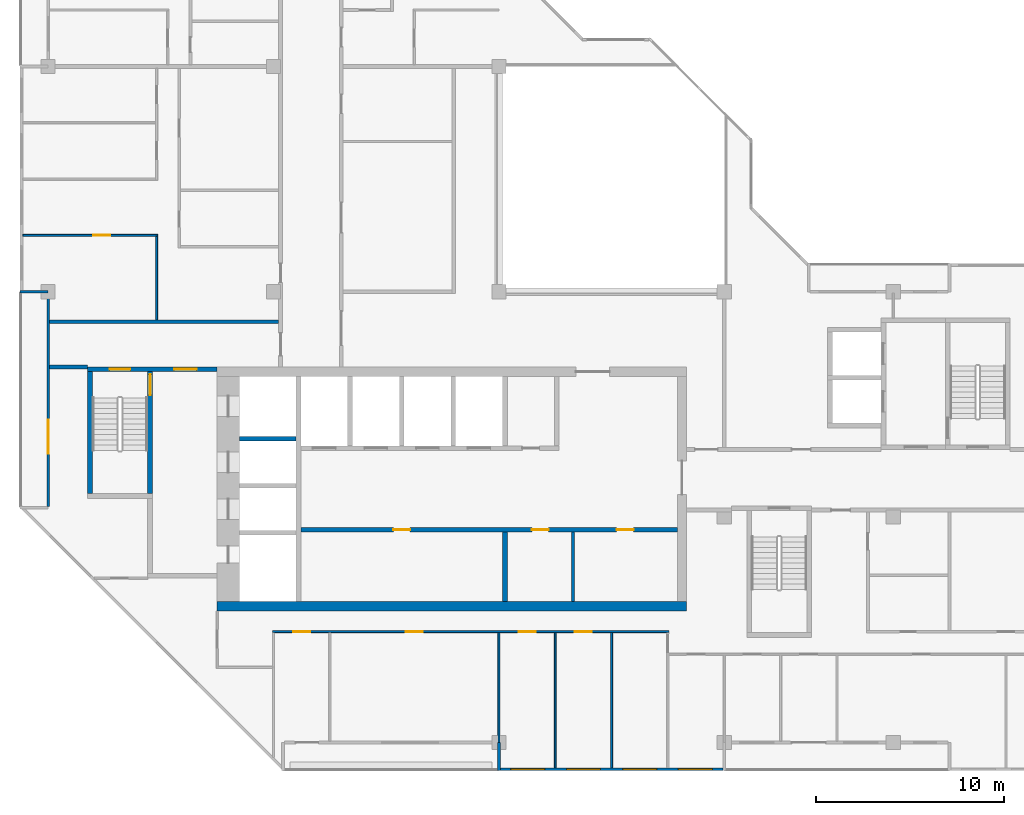
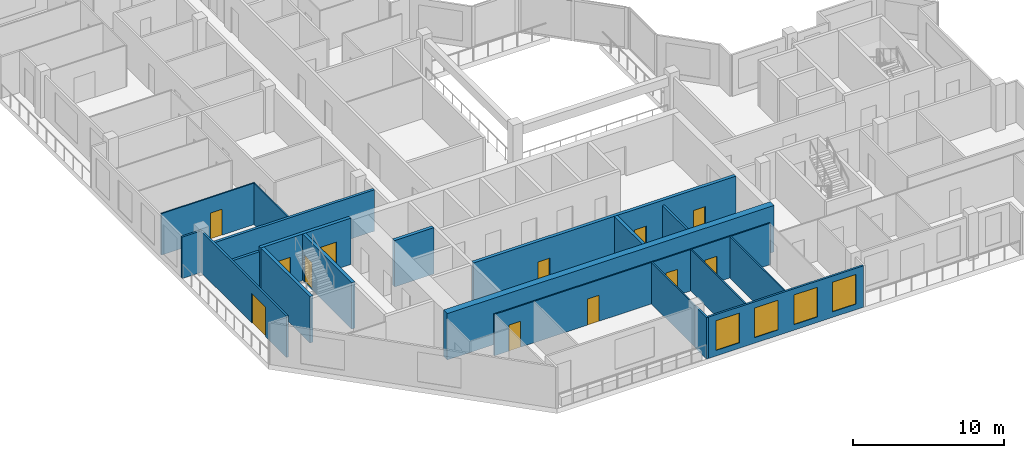
# One storey, part 4 of 12: 20 walls, 12 doors, 4 windows, 16 openings.
"""IFC4 building model written with IfcOpenShell, lengths in metres."""

from ifc_helpers import new_model, si_unit, direction, frame, frame_2d, origin, place, context, subcontext, project, spatial, rectangle, extrude, material, layer, layer_set, type_object, element, fill, save


model = new_model("IFC4")

# Units and contexts
model_context = context("Model", 3, precision=1e-05, world=origin(), true_north=direction((0.0, 1.0)))
body_context = subcontext(model_context, "Body", "Model", "MODEL_VIEW")
ifc_project = project(units=[si_unit("LENGTHUNIT", "METRE"), si_unit("AREAUNIT", "SQUARE_METRE"), si_unit("VOLUMEUNIT", "CUBIC_METRE"), si_unit("PLANEANGLEUNIT", "RADIAN"), si_unit("MASSUNIT", "GRAM", prefix="KILO")], contexts=[model_context])

# Site, building, storey
site_placement = place(None, origin())
site = spatial("IfcSite", under=ifc_project, at=site_placement, CompositionType="ELEMENT")
building_placement = place(site_placement, origin())
building = spatial("IfcBuilding", under=site, at=building_placement, Name="Chenar Terraces", CompositionType="ELEMENT")
storey_placement = place(building_placement, frame((0.0, 0.0, 365.14990234375)))
storey = spatial("IfcBuildingStorey", under=building, at=storey_placement, Name="L85", CompositionType="ELEMENT", Elevation=365.14990234375)

# Wall
ifc_material_1 = material(Name="Gypsum board on steel studs", Category="steel")
ifc_layer_1 = layer(ifc_material_1, 0.14990234375)
ifc_layer_set_1 = layer_set([ifc_layer_1], Name="Gypsum board on steel studs")
wall_type_1 = type_object("IfcWallType", Name="Core partition 150 gypsum board", PredefinedType="PARTITIONING", material=ifc_layer_set_1)
wall_1_placement = place(storey_placement, frame((27.949951171875, 7.5, 0.0), z_axis=(0.0, 0.0, 1.0), x_axis=(0.0, 1.0, 0.0)))
element("IfcWall", 1, at=wall_1_placement, inside=storey, type_object=wall_type_1, Name="Core partition CP1 freed bay wall", PredefinedType="PARTITIONING", context=body_context, shape_type="SweptSolid", body=[
    extrude(rectangle(XDim=3.699951171875, YDim=0.14990234375, at=frame_2d((1.85009765625, 0.0))), origin(), (0.0, 0.0, 1.0), 3.35009765625),
])

# Wall, openings, doors
ifc_material_2 = material(Name="Concrete C50/60", Category="concrete")
ifc_layer_2 = layer(ifc_material_2, 0.25)
ifc_layer_set_2 = layer_set([ifc_layer_2], Name="Concrete C50/60")
wall_type_2 = type_object("IfcWallType", Name="Core wall 250 Concrete C50/60", PredefinedType="SHEAR", material=ifc_layer_set_2)
wall_2_placement = place(storey_placement, frame((13.449951171875, 11.324951171875, 0.0), z_axis=(0.0, 0.0, 1.0), x_axis=(1.0, 0.0, 0.0)))
wall_2 = element("IfcWall", 2, at=wall_2_placement, inside=storey, type_object=wall_type_2, Name="Core wall SF L85", PredefinedType="SHEAR", context=body_context, shape_type="SweptSolid", body=[
    extrude(rectangle(XDim=20.050048828125, YDim=0.25, at=frame_2d((10.02490234375, 0.0))), origin(), (0.0, 0.0, 1.0), 3.75),
])
opening_1_placement = place(wall_2_placement, frame((4.925048828125, 0.0, 0.0)))
opening_1 = element("IfcOpeningElement", 3, at=opening_1_placement, cuts=wall_2, Name="Opening DL85-C12", PredefinedType="OPENING", context=body_context, shape_type="SweptSolid", body=[
    extrude(rectangle(XDim=0.89990234375, YDim=2.10009765625, at=frame_2d((0.449951171875, 1.050048828125))), frame((0.0, 0.135009765625, 0.0), z_axis=(0.0, -1.0, 0.0), x_axis=(1.0, 0.0, 0.0)), (0.0, 0.0, 1.0), 0.27001953125),
])
opening_2_placement = place(wall_2_placement, frame((12.300048828125, 0.0, 0.0)))
opening_2 = element("IfcOpeningElement", 4, at=opening_2_placement, cuts=wall_2, Name="Opening DL85-C13", PredefinedType="OPENING", context=body_context, shape_type="SweptSolid", body=[
    extrude(rectangle(XDim=0.89990234375, YDim=2.10009765625, at=frame_2d((0.449951171875, 1.050048828125))), frame((0.0, 0.135009765625, 0.0), z_axis=(0.0, -1.0, 0.0), x_axis=(1.0, 0.0, 0.0)), (0.0, 0.0, 1.0), 0.27001953125),
])
opening_3_placement = place(wall_2_placement, frame((16.824951171875, 0.0, 0.0)))
opening_3 = element("IfcOpeningElement", 5, at=opening_3_placement, cuts=wall_2, Name="Opening DL85-C14", PredefinedType="OPENING", context=body_context, shape_type="SweptSolid", body=[
    extrude(rectangle(XDim=0.89990234375, YDim=2.10009765625, at=frame_2d((0.449951171875, 1.050048828125))), frame((0.0, 0.135009765625, 0.0), z_axis=(0.0, -1.0, 0.0), x_axis=(1.0, 0.0, 0.0)), (0.0, 0.0, 1.0), 0.27001953125),
])
ifc_material_3 = material(Name="Steel-framed fire-resisting door leaf", Category="steel")
door_type_1 = type_object("IfcDoorType", Name="Riser fire door FD60 900 x 2100", OperationType="SINGLE_SWING_LEFT", PredefinedType="DOOR", material=ifc_material_3)
door_1_placement = place(opening_1_placement, frame((0.89990234375, 0.0, 0.0), z_axis=(0.0, 0.0, 1.0), x_axis=(-1.0, 0.0, 0.0)))
door_1 = element("IfcDoor", 6, at=door_1_placement, inside=storey, type_object=door_type_1, Name="Core room door DL85-C12", OperationType="SINGLE_SWING_RIGHT", OverallHeight=2.10009765625, OverallWidth=0.89990234375, PredefinedType="DOOR", context=body_context, shape_type="SweptSolid", body=[
    extrude(rectangle(XDim=0.89990234375, YDim=2.10009765625, at=frame_2d((0.449951171875, 1.050048828125))), frame((0.0, 0.02490234375, 0.0), z_axis=(0.0, -1.0, 0.0), x_axis=(1.0, 0.0, 0.0)), (0.0, 0.0, 1.0), 0.050048828125),
])
fill(opening_1, door_1)
door_2_placement = place(opening_2_placement, frame((0.89990234375, 0.0, 0.0), z_axis=(0.0, 0.0, 1.0), x_axis=(-1.0, 0.0, 0.0)))
door_2 = element("IfcDoor", 7, at=door_2_placement, inside=storey, type_object=door_type_1, Name="Core room door DL85-C13", OperationType="SINGLE_SWING_LEFT", OverallHeight=2.10009765625, OverallWidth=0.89990234375, PredefinedType="DOOR", context=body_context, shape_type="SweptSolid", body=[
    extrude(rectangle(XDim=0.89990234375, YDim=2.10009765625, at=frame_2d((0.449951171875, 1.050048828125))), frame((0.0, 0.02490234375, 0.0), z_axis=(0.0, -1.0, 0.0), x_axis=(1.0, 0.0, 0.0)), (0.0, 0.0, 1.0), 0.050048828125),
])
fill(opening_2, door_2)
door_3_placement = place(opening_3_placement, frame((0.89990234375, 0.0, 0.0), z_axis=(0.0, 0.0, 1.0), x_axis=(-1.0, 0.0, 0.0)))
door_3 = element("IfcDoor", 8, at=door_3_placement, inside=storey, type_object=door_type_1, Name="Core room door DL85-C14", OperationType="SINGLE_SWING_LEFT", OverallHeight=2.10009765625, OverallWidth=0.89990234375, PredefinedType="DOOR", context=body_context, shape_type="SweptSolid", body=[
    extrude(rectangle(XDim=0.89990234375, YDim=2.10009765625, at=frame_2d((0.449951171875, 1.050048828125))), frame((0.0, 0.02490234375, 0.0), z_axis=(0.0, -1.0, 0.0), x_axis=(1.0, 0.0, 0.0)), (0.0, 0.0, 1.0), 0.050048828125),
])
fill(opening_3, door_3)

# Walls
wall_3_placement = place(storey_placement, frame((10.199951171875, 16.175048828125, 0.0), z_axis=(0.0, 0.0, 1.0), x_axis=(1.0, 0.0, 0.0)))
element("IfcWall", 9, at=wall_3_placement, inside=storey, type_object=wall_type_2, Name="Core wall HW2 L85", PredefinedType="SHEAR", context=body_context, shape_type="SweptSolid", body=[
    extrude(rectangle(XDim=3.0, YDim=0.25, at=frame_2d((1.5, 0.0))), origin(), (0.0, 0.0, 1.0), 3.75),
])
wall_4_placement = place(storey_placement, frame((24.324951171875, 7.5, 0.0), z_axis=(0.0, 0.0, 1.0), x_axis=(0.0, 1.0, 0.0)))
element("IfcWall", 10, at=wall_4_placement, inside=storey, type_object=wall_type_2, Name="Core wall SS3 L85", PredefinedType="SHEAR", context=body_context, shape_type="SweptSolid", body=[
    extrude(rectangle(XDim=3.699951171875, YDim=0.25, at=frame_2d((1.85009765625, 0.0))), origin(), (0.0, 0.0, 1.0), 3.75),
])

# Wall, openings, doors
wall_5_placement = place(storey_placement, frame((2.10009765625, 19.875, 0.0), z_axis=(0.0, 0.0, 1.0), x_axis=(1.0, 0.0, 0.0)))
wall_5 = element("IfcWall", 11, at=wall_5_placement, inside=storey, type_object=wall_type_2, Name="Core wall A_N L85", PredefinedType="SHEAR", context=body_context, shape_type="SweptSolid", body=[
    extrude(rectangle(XDim=6.89990234375, YDim=0.25, at=frame_2d((3.449951171875, 0.0))), origin(), (0.0, 0.0, 1.0), 3.75),
])
opening_4_placement = place(wall_5_placement, frame((1.175048828125, 0.0, 0.0)))
opening_4 = element("IfcOpeningElement", 12, at=opening_4_placement, cuts=wall_5, Name="Opening DL85-C5", PredefinedType="OPENING", context=body_context, shape_type="SweptSolid", body=[
    extrude(rectangle(XDim=1.10009765625, YDim=2.199951171875, at=frame_2d((0.550048828125, 1.10009765625))), frame((0.0, 0.135009765625, 0.0), z_axis=(0.0, -1.0, 0.0), x_axis=(1.0, 0.0, 0.0)), (0.0, 0.0, 1.0), 0.27001953125),
])
opening_5_placement = place(wall_5_placement, frame((4.60009765625, 0.0, 0.0)))
opening_5 = element("IfcOpeningElement", 13, at=opening_5_placement, cuts=wall_5, Name="Opening DL85-C6", PredefinedType="OPENING", context=body_context, shape_type="SweptSolid", body=[
    extrude(rectangle(XDim=1.199951171875, YDim=2.199951171875, at=frame_2d((0.60009765625, 1.10009765625))), frame((0.0, 0.135009765625, 0.0), z_axis=(0.0, -1.0, 0.0), x_axis=(1.0, 0.0, 0.0)), (0.0, 0.0, 1.0), 0.27001953125),
])
ifc_material_4 = material(Name="Steel-framed fire-resisting door leaf", Category="steel")
door_type_2 = type_object("IfcDoorType", Name="Lobby fire door FD60 1200 x 2200", OperationType="SINGLE_SWING_LEFT", PredefinedType="DOOR", material=ifc_material_4)
door_4_placement = place(opening_5_placement, frame((1.199951171875, 0.0, 0.0), z_axis=(0.0, 0.0, 1.0), x_axis=(-1.0, 0.0, 0.0)))
door_4 = element("IfcDoor", 14, at=door_4_placement, inside=storey, type_object=door_type_2, Name="Core door DL85-C6", OperationType="SINGLE_SWING_LEFT", OverallHeight=2.199951171875, OverallWidth=1.199951171875, PredefinedType="DOOR", context=body_context, shape_type="SweptSolid", body=[
    extrude(rectangle(XDim=1.199951171875, YDim=2.199951171875, at=frame_2d((0.60009765625, 1.10009765625))), frame((0.0, 0.02490234375, 0.0), z_axis=(0.0, -1.0, 0.0), x_axis=(1.0, 0.0, 0.0)), (0.0, 0.0, 1.0), 0.050048828125),
])
fill(opening_5, door_4)
ifc_material_5 = material(Name="Steel-framed fire-resisting door leaf", Category="steel")
door_type_3 = type_object("IfcDoorType", Name="Stair fire door FD60 1100 x 2200", OperationType="SINGLE_SWING_LEFT", PredefinedType="DOOR", material=ifc_material_5)
door_5_placement = place(opening_4_placement, origin())
door_5 = element("IfcDoor", 15, at=door_5_placement, inside=storey, type_object=door_type_3, Name="Stair door DL85-C5", OperationType="SINGLE_SWING_LEFT", OverallHeight=2.199951171875, OverallWidth=1.10009765625, PredefinedType="DOOR", context=body_context, shape_type="SweptSolid", body=[
    extrude(rectangle(XDim=1.10009765625, YDim=2.199951171875, at=frame_2d((0.550048828125, 1.10009765625))), frame((0.0, 0.02490234375, 0.0), z_axis=(0.0, -1.0, 0.0), x_axis=(1.0, 0.0, 0.0)), (0.0, 0.0, 1.0), 0.050048828125),
])
fill(opening_4, door_5)

# Wall
wall_6_placement = place(storey_placement, frame((2.22509765625, 13.25, 0.0), z_axis=(0.0, 0.0, 1.0), x_axis=(0.0, 1.0, 0.0)))
element("IfcWall", 16, at=wall_6_placement, inside=storey, type_object=wall_type_2, Name="Core wall ST1_W L85", PredefinedType="SHEAR", context=body_context, shape_type="SweptSolid", body=[
    extrude(rectangle(XDim=6.5, YDim=0.25, at=frame_2d((3.25, 0.0))), origin(), (0.0, 0.0, 1.0), 3.75),
])

# Wall, opening, door
wall_7_placement = place(storey_placement, frame((5.425048828125, 13.25, 0.0), z_axis=(0.0, 0.0, 1.0), x_axis=(0.0, 1.0, 0.0)))
wall_7 = element("IfcWall", 17, at=wall_7_placement, inside=storey, type_object=wall_type_2, Name="Core wall ST1_E L85", PredefinedType="SHEAR", context=body_context, shape_type="SweptSolid", body=[
    extrude(rectangle(XDim=6.5, YDim=0.25, at=frame_2d((3.25, 0.0))), origin(), (0.0, 0.0, 1.0), 3.75),
])
opening_6_placement = place(wall_7_placement, frame((5.25, 0.0, 0.0)))
opening_6 = element("IfcOpeningElement", 18, at=opening_6_placement, cuts=wall_7, Name="Opening DL85-C3", PredefinedType="OPENING", context=body_context, shape_type="SweptSolid", body=[
    extrude(rectangle(XDim=1.10009765625, YDim=2.199951171875, at=frame_2d((0.550048828125, 1.10009765625))), frame((0.0, 0.135009765625, 0.0), z_axis=(0.0, -1.0, 0.0), x_axis=(1.0, 0.0, 0.0)), (0.0, 0.0, 1.0), 0.27001953125),
])
door_6_placement = place(opening_6_placement, origin())
door_6 = element("IfcDoor", 19, at=door_6_placement, inside=storey, type_object=door_type_3, Name="Stair door DL85-C3", OperationType="SINGLE_SWING_RIGHT", OverallHeight=2.199951171875, OverallWidth=1.10009765625, PredefinedType="DOOR", context=body_context, shape_type="SweptSolid", body=[
    extrude(rectangle(XDim=1.10009765625, YDim=2.199951171875, at=frame_2d((0.550048828125, 1.10009765625))), frame((0.0, 0.02490234375, 0.0), z_axis=(0.0, -1.0, 0.0), x_axis=(1.0, 0.0, 0.0)), (0.0, 0.0, 1.0), 0.050048828125),
])
fill(opening_6, door_6)

# Walls
ifc_material_6 = material(Name="Concrete C50/60", Category="concrete")
ifc_layer_3 = layer(ifc_material_6, 0.5)
ifc_layer_set_3 = layer_set([ifc_layer_3], Name="Concrete C50/60")
wall_type_3 = type_object("IfcWallType", Name="Core wall 500 Concrete C50/60", PredefinedType="SHEAR", material=ifc_layer_set_3)
wall_8_placement = place(storey_placement, frame((9.0, 7.25, 0.0), z_axis=(0.0, 0.0, 1.0), x_axis=(1.0, 0.0, 0.0)))
element("IfcWall", 20, at=wall_8_placement, inside=storey, type_object=wall_type_3, Name="Core wall S L85", PredefinedType="SHEAR", context=body_context, shape_type="SweptSolid", body=[
    extrude(rectangle(XDim=25.0, YDim=0.5, at=frame_2d((12.5, 0.0))), origin(), (0.0, 0.0, 1.0), 3.75),
])
ifc_material_7 = material(Name="Gypsum board on steel studs with fire boards", Category="steel")
ifc_layer_4 = layer(ifc_material_7, 0.199951171875)
ifc_layer_set_4 = layer_set([ifc_layer_4], Name="Gypsum board on steel studs with fire boards")
wall_type_4 = type_object("IfcWallType", Name="Corridor wall 200", PredefinedType="PARTITIONING", material=ifc_layer_set_4)
wall_9_placement = place(storey_placement, frame((0.073974609375, 20.0, 0.0), z_axis=(0.0, 0.0, 1.0), x_axis=(1.0, 0.0, 0.0)))
element("IfcWall", 21, at=wall_9_placement, inside=storey, type_object=wall_type_4, Name="Partition L85-007", PredefinedType="PARTITIONING", context=body_context, shape_type="SweptSolid", body=[
    extrude(rectangle(XDim=2.026123046875, YDim=0.199951171875, at=frame_2d((1.01318359375, 0.0))), origin(), (0.0, 0.0, 1.0), 3.35009765625),
])
wall_10_placement = place(storey_placement, frame((0.073974609375, 22.39990234375, 0.0), z_axis=(0.0, 0.0, 1.0), x_axis=(1.0, 0.0, 0.0)))
element("IfcWall", 22, at=wall_10_placement, inside=storey, type_object=wall_type_4, Name="Partition L85-008", PredefinedType="PARTITIONING", context=body_context, shape_type="SweptSolid", body=[
    extrude(rectangle(XDim=12.200927734375, YDim=0.199951171875, at=frame_2d((6.1005859375, 0.0))), origin(), (0.0, 0.0, 1.0), 3.35009765625),
])

# Wall, openings, windows
ifc_material_8 = material(Name="Aluminium framed glazing", Category="aluminium")
ifc_layer_5 = layer(ifc_material_8, 0.14990234375)
ifc_layer_set_5 = layer_set([ifc_layer_5], Name="Aluminium framed glazing")
wall_type_5 = type_object("IfcWallType", Name="Glazed flush facade wall 150", PredefinedType="SOLIDWALL", material=ifc_layer_set_5)
wall_11_placement = place(storey_placement, frame((24.074951171875, -1.425048828125, 0.0), z_axis=(0.0, 0.0, 1.0), x_axis=(1.0, 0.0, 0.0)))
wall_11 = element("IfcWall", 23, at=wall_11_placement, inside=storey, type_object=wall_type_5, Name="Glazed flush facade wall", PredefinedType="SOLIDWALL", context=body_context, shape_type="SweptSolid", body=[
    extrude(rectangle(XDim=11.85009765625, YDim=0.14990234375, at=frame_2d((5.925048828125, 0.0))), origin(), (0.0, 0.0, 1.0), 3.35009765625),
])
opening_7_placement = place(wall_11_placement, frame((0.5625, 0.0, 0.449951171875)))
opening_7 = element("IfcOpeningElement", 24, at=opening_7_placement, cuts=wall_11, Name="Opening W180x240", PredefinedType="OPENING", context=body_context, shape_type="SweptSolid", body=[
    extrude(rectangle(XDim=1.800048828125, YDim=2.39990234375, at=frame_2d((0.89990234375, 1.199951171875))), frame((0.0, 0.0849609375, 0.0), z_axis=(0.0, -1.0, 0.0), x_axis=(1.0, 0.0, 0.0)), (0.0, 0.0, 1.0), 0.169921875),
])
opening_8_placement = place(wall_11_placement, frame((3.52490234375, 0.0, 0.449951171875)))
opening_8 = element("IfcOpeningElement", 25, at=opening_8_placement, cuts=wall_11, Name="Opening W180x240", PredefinedType="OPENING", context=body_context, shape_type="SweptSolid", body=[
    extrude(rectangle(XDim=1.800048828125, YDim=2.39990234375, at=frame_2d((0.89990234375, 1.199951171875))), frame((0.0, 0.0849609375, 0.0), z_axis=(0.0, -1.0, 0.0), x_axis=(1.0, 0.0, 0.0)), (0.0, 0.0, 1.0), 0.169921875),
])
opening_9_placement = place(wall_11_placement, frame((6.52490234375, 0.0, 0.449951171875)))
opening_9 = element("IfcOpeningElement", 26, at=opening_9_placement, cuts=wall_11, Name="Opening W180x240", PredefinedType="OPENING", context=body_context, shape_type="SweptSolid", body=[
    extrude(rectangle(XDim=1.800048828125, YDim=2.39990234375, at=frame_2d((0.89990234375, 1.199951171875))), frame((0.0, 0.0849609375, 0.0), z_axis=(0.0, -1.0, 0.0), x_axis=(1.0, 0.0, 0.0)), (0.0, 0.0, 1.0), 0.169921875),
])
opening_10_placement = place(wall_11_placement, frame((9.487548828125, 0.0, 0.449951171875)))
opening_10 = element("IfcOpeningElement", 27, at=opening_10_placement, cuts=wall_11, Name="Opening W180x240", PredefinedType="OPENING", context=body_context, shape_type="SweptSolid", body=[
    extrude(rectangle(XDim=1.800048828125, YDim=2.39990234375, at=frame_2d((0.89990234375, 1.199951171875))), frame((0.0, 0.0849609375, 0.0), z_axis=(0.0, -1.0, 0.0), x_axis=(1.0, 0.0, 0.0)), (0.0, 0.0, 1.0), 0.169921875),
])
ifc_material_9 = material(Name="Low emissivity double glazing, aluminium frame", Category="aluminium")
window_type = type_object("IfcWindowType", Name="Fixed light 1800 x 2400", PartitioningType="SINGLE_PANEL", PredefinedType="WINDOW", material=ifc_material_9)
window_1_placement = place(opening_7_placement, origin())
window_1 = element("IfcWindow", 28, at=window_1_placement, inside=storey, type_object=window_type, Name="Window", OverallHeight=2.39990234375, OverallWidth=1.800048828125, PartitioningType="SINGLE_PANEL", PredefinedType="WINDOW", context=body_context, shape_type="SweptSolid", body=[
    extrude(rectangle(XDim=1.800048828125, YDim=2.39990234375, at=frame_2d((0.89990234375, 1.199951171875))), frame((0.0, 0.030029296875, 0.0), z_axis=(0.0, -1.0, 0.0), x_axis=(1.0, 0.0, 0.0)), (0.0, 0.0, 1.0), 0.06005859375),
])
fill(opening_7, window_1)
window_2_placement = place(opening_8_placement, origin())
window_2 = element("IfcWindow", 29, at=window_2_placement, inside=storey, type_object=window_type, Name="Window", OverallHeight=2.39990234375, OverallWidth=1.800048828125, PartitioningType="SINGLE_PANEL", PredefinedType="WINDOW", context=body_context, shape_type="SweptSolid", body=[
    extrude(rectangle(XDim=1.800048828125, YDim=2.39990234375, at=frame_2d((0.89990234375, 1.199951171875))), frame((0.0, 0.030029296875, 0.0), z_axis=(0.0, -1.0, 0.0), x_axis=(1.0, 0.0, 0.0)), (0.0, 0.0, 1.0), 0.06005859375),
])
fill(opening_8, window_2)
window_3_placement = place(opening_9_placement, origin())
window_3 = element("IfcWindow", 30, at=window_3_placement, inside=storey, type_object=window_type, Name="Window", OverallHeight=2.39990234375, OverallWidth=1.800048828125, PartitioningType="SINGLE_PANEL", PredefinedType="WINDOW", context=body_context, shape_type="SweptSolid", body=[
    extrude(rectangle(XDim=1.800048828125, YDim=2.39990234375, at=frame_2d((0.89990234375, 1.199951171875))), frame((0.0, 0.030029296875, 0.0), z_axis=(0.0, -1.0, 0.0), x_axis=(1.0, 0.0, 0.0)), (0.0, 0.0, 1.0), 0.06005859375),
])
fill(opening_9, window_3)
window_4_placement = place(opening_10_placement, origin())
window_4 = element("IfcWindow", 31, at=window_4_placement, inside=storey, type_object=window_type, Name="Window", OverallHeight=2.39990234375, OverallWidth=1.800048828125, PartitioningType="SINGLE_PANEL", PredefinedType="WINDOW", context=body_context, shape_type="SweptSolid", body=[
    extrude(rectangle(XDim=1.800048828125, YDim=2.39990234375, at=frame_2d((0.89990234375, 1.199951171875))), frame((0.0, 0.030029296875, 0.0), z_axis=(0.0, -1.0, 0.0), x_axis=(1.0, 0.0, 0.0)), (0.0, 0.0, 1.0), 0.06005859375),
])
fill(opening_10, window_4)

# Wall, opening, door
ifc_material_10 = material(Name="Aluminium framed glazing", Category="aluminium")
ifc_layer_6 = layer(ifc_material_10, 0.14990234375)
ifc_layer_set_6 = layer_set([ifc_layer_6], Name="Aluminium framed glazing")
wall_type_6 = type_object("IfcWallType", Name="Glazed loggia back wall 150", PredefinedType="SOLIDWALL", material=ifc_layer_set_6)
wall_12_placement = place(storey_placement, frame((0.0, 23.925048828125, 0.0), z_axis=(0.0, 0.0, 1.0), x_axis=(0.0, -1.0, 0.0)))
wall_12 = element("IfcWall", 32, at=wall_12_placement, inside=storey, type_object=wall_type_6, Name="Glazed loggia back wall", PredefinedType="SOLIDWALL", context=body_context, shape_type="SweptSolid", body=[
    extrude(rectangle(XDim=11.35009765625, YDim=0.14990234375, at=frame_2d((5.675048828125, 0.0))), origin(), (0.0, 0.0, 1.0), 3.35009765625),
])
opening_11_placement = place(wall_12_placement, frame((6.737548828125, 0.0, 0.0)))
opening_11 = element("IfcOpeningElement", 33, at=opening_11_placement, cuts=wall_12, Name="Opening DL85-G2", PredefinedType="OPENING", context=body_context, shape_type="SweptSolid", body=[
    extrude(rectangle(XDim=1.800048828125, YDim=2.39990234375, at=frame_2d((0.89990234375, 1.199951171875))), frame((0.0, 0.0849609375, 0.0), z_axis=(0.0, -1.0, 0.0), x_axis=(1.0, 0.0, 0.0)), (0.0, 0.0, 1.0), 0.169921875),
])
ifc_material_11 = material(Name="Low emissivity double glazing, aluminium frame", Category="aluminium")
door_type_4 = type_object("IfcDoorType", Name="Loggia glazed double door 1800 x 2400", OperationType="DOUBLE_DOOR_SINGLE_SWING", PredefinedType="DOOR", material=ifc_material_11)
door_7_placement = place(opening_11_placement, frame((1.800048828125, 0.0, 0.0), z_axis=(0.0, 0.0, 1.0), x_axis=(-1.0, 0.0, 0.0)))
door_7 = element("IfcDoor", 34, at=door_7_placement, inside=storey, type_object=door_type_4, Name="Loggia glazed door", OperationType="DOUBLE_DOOR_SINGLE_SWING", OverallHeight=2.39990234375, OverallWidth=1.800048828125, PredefinedType="DOOR", context=body_context, shape_type="SweptSolid", body=[
    extrude(rectangle(XDim=1.800048828125, YDim=2.39990234375, at=frame_2d((0.89990234375, 1.199951171875))), frame((0.0, 0.02490234375, 0.0), z_axis=(0.0, -1.0, 0.0), x_axis=(1.0, 0.0, 0.0)), (0.0, 0.0, 1.0), 0.050048828125),
])
fill(opening_11, door_7)

ifc_material_12 = material(Name="Gypsum board on steel studs", Category="steel")
ifc_layer_7 = layer(ifc_material_12, 0.10009765625)
ifc_layer_set_7 = layer_set([ifc_layer_7], Name="Gypsum board on steel studs")
wall_type_7 = type_object("IfcWallType", Name="Gypsum partition 100", PredefinedType="PARTITIONING", material=ifc_layer_set_7)
wall_13_placement = place(storey_placement, frame((-1.35009765625, 27.0, 0.0), z_axis=(0.0, 0.0, 1.0), x_axis=(1.0, 0.0, 0.0)))
wall_13 = element("IfcWall", 35, at=wall_13_placement, inside=storey, type_object=wall_type_7, Name="Partition L85-001", PredefinedType="PARTITIONING", context=body_context, shape_type="SweptSolid", body=[
    extrude(rectangle(XDim=7.175048828125, YDim=0.10009765625, at=frame_2d((3.58740234375, 0.0))), origin(), (0.0, 0.0, 1.0), 3.35009765625),
])
opening_12_placement = place(wall_13_placement, frame((3.75, 0.0, 0.0)))
opening_12 = element("IfcOpeningElement", 36, at=opening_12_placement, cuts=wall_13, Name="Opening DL85-41", PredefinedType="OPENING", context=body_context, shape_type="SweptSolid", body=[
    extrude(rectangle(XDim=0.89990234375, YDim=2.10009765625, at=frame_2d((0.449951171875, 1.050048828125))), frame((0.0, 0.06005859375, 0.0), z_axis=(0.0, -1.0, 0.0), x_axis=(1.0, 0.0, 0.0)), (0.0, 0.0, 1.0), 0.1201171875),
])
ifc_material_13 = material(Name="Veneered timber door leaf", Category="wood")
door_type_5 = type_object("IfcDoorType", Name="Door 900 x 2100", OperationType="SINGLE_SWING_LEFT", PredefinedType="DOOR", material=ifc_material_13)
door_8_placement = place(opening_12_placement, frame((0.89990234375, 0.0, 0.0), z_axis=(0.0, 0.0, 1.0), x_axis=(-1.0, 0.0, 0.0)))
door_8 = element("IfcDoor", 37, at=door_8_placement, inside=storey, type_object=door_type_5, Name="Door DL85-41", OperationType="SINGLE_SWING_LEFT", OverallHeight=2.10009765625, OverallWidth=0.89990234375, PredefinedType="DOOR", context=body_context, shape_type="SweptSolid", body=[
    extrude(rectangle(XDim=0.89990234375, YDim=2.10009765625, at=frame_2d((0.449951171875, 1.050048828125))), frame((0.0, 0.02490234375, 0.0), z_axis=(0.0, -1.0, 0.0), x_axis=(1.0, 0.0, 0.0)), (0.0, 0.0, 1.0), 0.050048828125),
])
fill(opening_12, door_8)

# Wall
wall_14_placement = place(storey_placement, frame((5.77490234375, 22.5, 0.0), z_axis=(0.0, 0.0, 1.0), x_axis=(0.0, 1.0, 0.0)))
element("IfcWall", 38, at=wall_14_placement, inside=storey, type_object=wall_type_7, Name="Partition L85-012", PredefinedType="PARTITIONING", context=body_context, shape_type="SweptSolid", body=[
    extrude(rectangle(XDim=4.449951171875, YDim=0.10009765625, at=frame_2d((2.22509765625, 0.0))), origin(), (0.0, 0.0, 1.0), 3.35009765625),
])

# Wall, openings, doors
wall_15_placement = place(storey_placement, frame((11.949951171875, 5.89990234375, 0.0), z_axis=(0.0, 0.0, 1.0), x_axis=(1.0, 0.0, 0.0)))
wall_15 = element("IfcWall", 39, at=wall_15_placement, inside=storey, type_object=wall_type_7, Name="Partition L85-028", PredefinedType="PARTITIONING", context=body_context, shape_type="SweptSolid", body=[
    extrude(rectangle(XDim=21.10009765625, YDim=0.10009765625, at=frame_2d((10.550048828125, 0.0))), origin(), (0.0, 0.0, 1.0), 3.35009765625),
])
opening_13_placement = place(wall_15_placement, frame((1.10009765625, 0.0, 0.0)))
opening_13 = element("IfcOpeningElement", 40, at=opening_13_placement, cuts=wall_15, Name="Opening DL85-25", PredefinedType="OPENING", context=body_context, shape_type="SweptSolid", body=[
    extrude(rectangle(XDim=0.89990234375, YDim=2.10009765625, at=frame_2d((0.449951171875, 1.050048828125))), frame((0.0, 0.06005859375, 0.0), z_axis=(0.0, -1.0, 0.0), x_axis=(1.0, 0.0, 0.0)), (0.0, 0.0, 1.0), 0.1201171875),
])
opening_14_placement = place(wall_15_placement, frame((13.10009765625, 0.0, 0.0)))
opening_14 = element("IfcOpeningElement", 41, at=opening_14_placement, cuts=wall_15, Name="Opening DL85-26", PredefinedType="OPENING", context=body_context, shape_type="SweptSolid", body=[
    extrude(rectangle(XDim=0.89990234375, YDim=2.10009765625, at=frame_2d((0.449951171875, 1.050048828125))), frame((0.0, 0.06005859375, 0.0), z_axis=(0.0, -1.0, 0.0), x_axis=(1.0, 0.0, 0.0)), (0.0, 0.0, 1.0), 0.1201171875),
])
opening_15_placement = place(wall_15_placement, frame((16.10009765625, 0.0, 0.0)))
opening_15 = element("IfcOpeningElement", 42, at=opening_15_placement, cuts=wall_15, Name="Opening DL85-27", PredefinedType="OPENING", context=body_context, shape_type="SweptSolid", body=[
    extrude(rectangle(XDim=0.89990234375, YDim=2.10009765625, at=frame_2d((0.449951171875, 1.050048828125))), frame((0.0, 0.06005859375, 0.0), z_axis=(0.0, -1.0, 0.0), x_axis=(1.0, 0.0, 0.0)), (0.0, 0.0, 1.0), 0.1201171875),
])
opening_16_placement = place(wall_15_placement, frame((7.10009765625, 0.0, 0.0)))
opening_16 = element("IfcOpeningElement", 43, at=opening_16_placement, cuts=wall_15, Name="Opening DL85-38", PredefinedType="OPENING", context=body_context, shape_type="SweptSolid", body=[
    extrude(rectangle(XDim=0.89990234375, YDim=2.10009765625, at=frame_2d((0.449951171875, 1.050048828125))), frame((0.0, 0.06005859375, 0.0), z_axis=(0.0, -1.0, 0.0), x_axis=(1.0, 0.0, 0.0)), (0.0, 0.0, 1.0), 0.1201171875),
])
door_9_placement = place(opening_13_placement, frame((0.89990234375, 0.0, 0.0), z_axis=(0.0, 0.0, 1.0), x_axis=(-1.0, 0.0, 0.0)))
door_9 = element("IfcDoor", 44, at=door_9_placement, inside=storey, type_object=door_type_5, Name="Door DL85-25", OperationType="SINGLE_SWING_RIGHT", OverallHeight=2.10009765625, OverallWidth=0.89990234375, PredefinedType="DOOR", context=body_context, shape_type="SweptSolid", body=[
    extrude(rectangle(XDim=0.89990234375, YDim=2.10009765625, at=frame_2d((0.449951171875, 1.050048828125))), frame((0.0, 0.02490234375, 0.0), z_axis=(0.0, -1.0, 0.0), x_axis=(1.0, 0.0, 0.0)), (0.0, 0.0, 1.0), 0.050048828125),
])
fill(opening_13, door_9)
door_10_placement = place(opening_14_placement, frame((0.89990234375, 0.0, 0.0), z_axis=(0.0, 0.0, 1.0), x_axis=(-1.0, 0.0, 0.0)))
door_10 = element("IfcDoor", 45, at=door_10_placement, inside=storey, type_object=door_type_5, Name="Door DL85-26", OperationType="SINGLE_SWING_RIGHT", OverallHeight=2.10009765625, OverallWidth=0.89990234375, PredefinedType="DOOR", context=body_context, shape_type="SweptSolid", body=[
    extrude(rectangle(XDim=0.89990234375, YDim=2.10009765625, at=frame_2d((0.449951171875, 1.050048828125))), frame((0.0, 0.02490234375, 0.0), z_axis=(0.0, -1.0, 0.0), x_axis=(1.0, 0.0, 0.0)), (0.0, 0.0, 1.0), 0.050048828125),
])
fill(opening_14, door_10)
door_11_placement = place(opening_15_placement, frame((0.89990234375, 0.0, 0.0), z_axis=(0.0, 0.0, 1.0), x_axis=(-1.0, 0.0, 0.0)))
door_11 = element("IfcDoor", 46, at=door_11_placement, inside=storey, type_object=door_type_5, Name="Door DL85-27", OperationType="SINGLE_SWING_RIGHT", OverallHeight=2.10009765625, OverallWidth=0.89990234375, PredefinedType="DOOR", context=body_context, shape_type="SweptSolid", body=[
    extrude(rectangle(XDim=0.89990234375, YDim=2.10009765625, at=frame_2d((0.449951171875, 1.050048828125))), frame((0.0, 0.02490234375, 0.0), z_axis=(0.0, -1.0, 0.0), x_axis=(1.0, 0.0, 0.0)), (0.0, 0.0, 1.0), 0.050048828125),
])
fill(opening_15, door_11)
door_12_placement = place(opening_16_placement, frame((0.89990234375, 0.0, 0.0), z_axis=(0.0, 0.0, 1.0), x_axis=(-1.0, 0.0, 0.0)))
door_12 = element("IfcDoor", 47, at=door_12_placement, inside=storey, type_object=door_type_5, Name="Door DL85-38", OperationType="SINGLE_SWING_RIGHT", OverallHeight=2.10009765625, OverallWidth=0.89990234375, PredefinedType="DOOR", context=body_context, shape_type="SweptSolid", body=[
    extrude(rectangle(XDim=0.89990234375, YDim=2.10009765625, at=frame_2d((0.449951171875, 1.050048828125))), frame((0.0, 0.02490234375, 0.0), z_axis=(0.0, -1.0, 0.0), x_axis=(1.0, 0.0, 0.0)), (0.0, 0.0, 1.0), 0.050048828125),
])
fill(opening_16, door_12)

# Walls
wall_16_placement = place(storey_placement, frame((24.0, 0.0, 0.0), z_axis=(0.0, 0.0, 1.0), x_axis=(0.0, 1.0, 0.0)))
element("IfcWall", 48, at=wall_16_placement, inside=storey, type_object=wall_type_7, Name="Partition L85-046", PredefinedType="PARTITIONING", context=body_context, shape_type="SweptSolid", body=[
    extrude(rectangle(XDim=5.85009765625, YDim=0.10009765625, at=frame_2d((2.925048828125, 0.0))), origin(), (0.0, 0.0, 1.0), 3.35009765625),
])
for number, where, z_axis, x_axis, name in (
    (49, (27.0, -1.35107421875, 0.0), (0.0, 0.0, 1.0), (0.0, 1.0, 0.0), "Partition L85-047"),
    (50, (30.0, -1.35107421875, 0.0), (0.0, 0.0, 1.0), (0.0, 1.0, 0.0), "Partition L85-048"),
):
    element("IfcWall", number, at=place(storey_placement, frame(where, z_axis=z_axis, x_axis=x_axis)), inside=storey, type_object=wall_type_7, Name=name, PredefinedType="PARTITIONING", context=body_context, shape_type="SweptSolid", body=[
        extrude(rectangle(XDim=7.201171875, YDim=0.10009765625, at=frame_2d((3.6005859375, 0.0))), origin(), (0.0, 0.0, 1.0), 3.35009765625),
    ])
ifc_material_14 = material(Name="Terracotta cladding on insulated backing", Category="masonry")
ifc_layer_8 = layer(ifc_material_14, 0.14990234375)
ifc_layer_set_8 = layer_set([ifc_layer_8], Name="Terracotta cladding on insulated backing")
wall_type_8 = type_object("IfcWallType", Name="Loggia return wall 150", PredefinedType="SOLIDWALL", material=ifc_layer_set_8)
for number, where, z_axis, x_axis, name in (
    (51, (-1.5, 24.0, 0.0), (0.0, 0.0, 1.0), (1.0, 0.0, 0.0), "Loggia return wall"),
    (52, (24.0, -1.5, 0.0), (0.0, 0.0, 1.0), (0.0, 1.0, 0.0), "Loggia return wall"),
):
    element("IfcWall", number, at=place(storey_placement, frame(where, z_axis=z_axis, x_axis=x_axis)), inside=storey, type_object=wall_type_8, Name=name, PredefinedType="SOLIDWALL", context=body_context, shape_type="SweptSolid", body=[
        extrude(rectangle(XDim=1.5, YDim=0.14990234375, at=frame_2d((0.75, 0.0))), origin(), (0.0, 0.0, 1.0), 3.35009765625),
    ])

save(model, "model.ifc")
